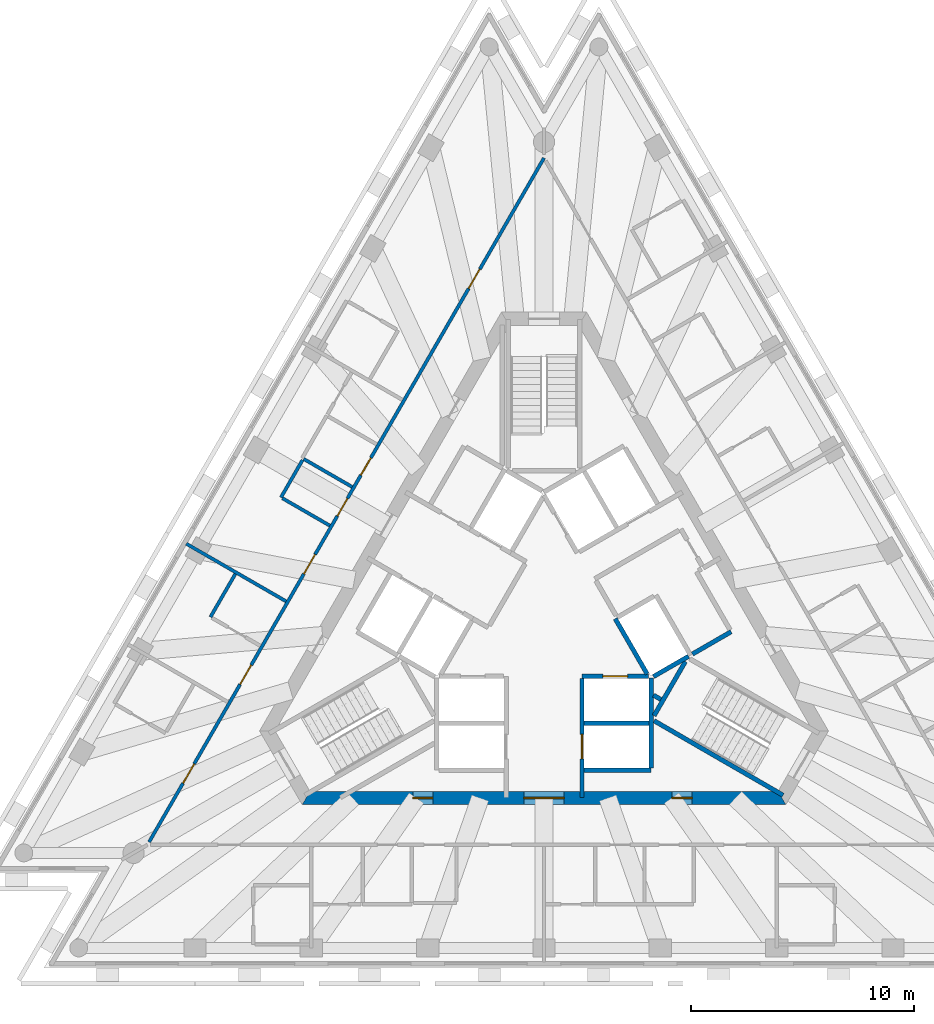
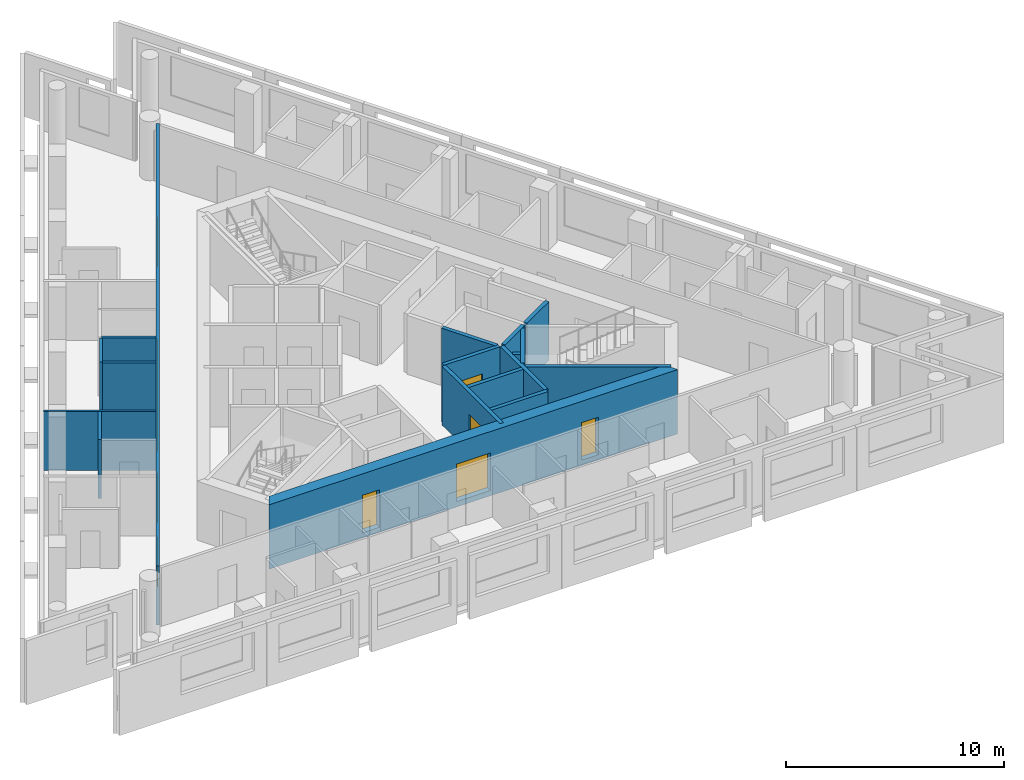
# One storey, part 4 of 10: 18 walls, 11 doors, 11 openings.
"""IFC4 building model written with IfcOpenShell, lengths in metres."""

from ifc_helpers import new_model, si_unit, direction, frame, frame_2d, origin, place, context, subcontext, project, spatial, polyline, rectangle, outline, extrude, material, layer, layer_set, type_object, element, fill, save


model = new_model("IFC4")

# Units and contexts
model_context = context("Model", 3, precision=1e-05, world=origin(), true_north=direction((0.0, 1.0)))
body_context = subcontext(model_context, "Body", "Model", "MODEL_VIEW")
ifc_project = project(units=[si_unit("LENGTHUNIT", "METRE"), si_unit("AREAUNIT", "SQUARE_METRE"), si_unit("VOLUMEUNIT", "CUBIC_METRE"), si_unit("PLANEANGLEUNIT", "RADIAN"), si_unit("MASSUNIT", "GRAM", prefix="KILO")], contexts=[model_context])

# Site, building, storey
site_placement = place(None, origin())
site = spatial("IfcSite", under=ifc_project, at=site_placement, CompositionType="ELEMENT")
building_placement = place(site_placement, origin())
building = spatial("IfcBuilding", under=site, at=building_placement, Name="Triada Interchange Tower", CompositionType="ELEMENT")
storey_placement = place(building_placement, frame((0.0, 0.0, 311.5)))
storey = spatial("IfcBuildingStorey", under=building, at=storey_placement, Name="L74", CompositionType="ELEMENT", Elevation=311.5)

# Walls
ifc_material_1 = material(Name="Concrete C30/37", Category="concrete")
ifc_layer_1 = layer(ifc_material_1, 0.199951171875)
ifc_layer_set_1 = layer_set([ifc_layer_1], Name="CORE WALL 200 EI 120")
wall_type_1 = type_object("IfcWallType", Name="CORE WALL 200 EI 120", PredefinedType="SOLIDWALL", material=ifc_layer_set_1)
wall_1_placement = place(storey_placement, frame((1.800048828125, -6.89990234375, 0.0), z_axis=(0.0, 0.0, 1.0), x_axis=(1.0, 0.0, 0.0)))
element("IfcWall", 1, at=wall_1_placement, inside=storey, type_object=wall_type_1, Name="Wall L74 68", PredefinedType="SOLIDWALL", context=body_context, shape_type="SweptSolid", body=[
    extrude(rectangle(XDim=3.0, YDim=0.199951171875, at=frame_2d((1.5, 0.0))), origin(), (0.0, 0.0, 1.0), 3.300048828125),
])
wall_2_placement = place(storey_placement, frame((1.800048828125, -4.800048828125, 0.0), z_axis=(0.0, 0.0, 1.0), x_axis=(1.0, 0.0, 0.0)))
element("IfcWall", 2, at=wall_2_placement, inside=storey, type_object=wall_type_1, Name="Wall L74 70", PredefinedType="SOLIDWALL", context=body_context, shape_type="SweptSolid", body=[
    extrude(rectangle(XDim=2.89990234375, YDim=0.199951171875, at=frame_2d((1.449951171875, 0.0))), origin(), (0.0, 0.0, 1.0), 3.300048828125),
])

# Wall, opening, door
wall_3_placement = place(storey_placement, frame((1.702880859375, -2.699951171875, 0.0), z_axis=(0.0, 0.0, 1.0), x_axis=(1.0, 0.0, 0.0)))
wall_3 = element("IfcWall", 3, at=wall_3_placement, inside=storey, type_object=wall_type_1, Name="Wall L74 73", PredefinedType="SOLIDWALL", context=body_context, shape_type="SweptSolid", body=[
    extrude(rectangle(XDim=2.97314453125, YDim=0.199951171875, at=frame_2d((1.486572265625, 0.0))), origin(), (0.0, 0.0, 1.0), 3.300048828125),
])
opening_1_placement = place(wall_3_placement, frame((0.93603515625, 0.0, 0.0)))
opening_1 = element("IfcOpeningElement", 4, at=opening_1_placement, cuts=wall_3, Name="Opening LD-HR1", PredefinedType="OPENING", context=body_context, shape_type="SweptSolid", body=[
    extrude(rectangle(XDim=1.10009765625, YDim=2.10009765625, at=frame_2d((0.550048828125, 1.050048828125))), frame((0.0, 0.10986328125, 0.0), z_axis=(0.0, -1.0, 0.0), x_axis=(1.0, 0.0, 0.0)), (0.0, 0.0, 1.0), 0.219970703125),
])
ifc_material_2 = material(Name="Steel S235 door leaf", Category="steel")
door_type_1 = type_object("IfcDoorType", Name="LIFT LANDING DOOR 1100 EI 120", OperationType="SLIDING_TO_LEFT", PredefinedType="DOOR", material=ifc_material_2)
door_1_placement = place(opening_1_placement, origin())
door_1 = element("IfcDoor", 5, at=door_1_placement, inside=storey, type_object=door_type_1, Name="HR1 landing door L74", OperationType="SLIDING_TO_LEFT", OverallHeight=2.10009765625, OverallWidth=1.10009765625, PredefinedType="DOOR", context=body_context, shape_type="SweptSolid", body=[
    extrude(rectangle(XDim=1.10009765625, YDim=2.10009765625, at=frame_2d((0.550048828125, 1.050048828125))), frame((0.0, 0.02490234375, 0.0), z_axis=(0.0, -1.0, 0.0), x_axis=(1.0, 0.0, 0.0)), (0.0, 0.0, 1.0), 0.050048828125),
])
fill(opening_1, door_1)

# Wall
wall_4_placement = place(storey_placement, frame((3.18994140625, -0.125, 0.0), z_axis=(0.0, 0.0, 1.0), x_axis=(0.499988658015, -0.866031951983, 0.0)))
element("IfcWall", 6, at=wall_4_placement, inside=storey, type_object=wall_type_1, Name="Wall L74 76", PredefinedType="SOLIDWALL", context=body_context, shape_type="SweptSolid", body=[
    extrude(rectangle(XDim=2.85791015625, YDim=0.199951171875, at=frame_2d((1.428955078125, 0.0))), origin(), (0.0, 0.0, 1.0), 3.300048828125),
])

# Wall, opening, door
wall_5_placement = place(storey_placement, frame((1.699951171875, -8.1298828125, 0.0), z_axis=(0.0, 0.0, 1.0), x_axis=(0.0, 1.0, 0.0)))
wall_5 = element("IfcWall", 7, at=wall_5_placement, inside=storey, type_object=wall_type_1, Name="Wall L74 78", PredefinedType="SOLIDWALL", context=body_context, shape_type="SweptSolid", body=[
    extrude(rectangle(XDim=5.326904296875, YDim=0.199951171875, at=frame_2d((2.66357421875, 0.0))), origin(), (0.0, 0.0, 1.0), 3.300048828125),
])
opening_2_placement = place(wall_5_placement, frame((1.72998046875, 0.0, 0.0)))
opening_2 = element("IfcOpeningElement", 8, at=opening_2_placement, cuts=wall_5, Name="Opening LD-HR2", PredefinedType="OPENING", context=body_context, shape_type="SweptSolid", body=[
    extrude(rectangle(XDim=1.10009765625, YDim=2.10009765625, at=frame_2d((0.550048828125, 1.050048828125))), frame((0.0, 0.10986328125, 0.0), z_axis=(0.0, -1.0, 0.0), x_axis=(1.0, 0.0, 0.0)), (0.0, 0.0, 1.0), 0.219970703125),
])
door_2_placement = place(opening_2_placement, origin())
door_2 = element("IfcDoor", 9, at=door_2_placement, inside=storey, type_object=door_type_1, Name="HR2 landing door L74", OperationType="SLIDING_TO_LEFT", OverallHeight=2.10009765625, OverallWidth=1.10009765625, PredefinedType="DOOR", context=body_context, shape_type="SweptSolid", body=[
    extrude(rectangle(XDim=1.10009765625, YDim=2.10009765625, at=frame_2d((0.550048828125, 1.050048828125))), frame((0.0, 0.02490234375, 0.0), z_axis=(0.0, -1.0, 0.0), x_axis=(1.0, 0.0, 0.0)), (0.0, 0.0, 1.0), 0.050048828125),
])
fill(opening_2, door_2)

# Walls
wall_6_placement = place(storey_placement, frame((4.800048828125, -6.800048828125, 0.0), z_axis=(0.0, 0.0, 1.0), x_axis=(0.0, 1.0, 0.0)))
element("IfcWall", 10, at=wall_6_placement, inside=storey, type_object=wall_type_1, Name="Wall L74 79", PredefinedType="SOLIDWALL", context=body_context, shape_type="SweptSolid", body=[
    extrude(rectangle(XDim=4.029052734375, YDim=0.199951171875, at=frame_2d((2.0146484375, 0.0))), origin(), (0.0, 0.0, 1.0), 3.300048828125),
])
wall_7_placement = place(storey_placement, frame((4.89990234375, -2.714111328125, 0.0), z_axis=(0.0, 0.0, 1.0), x_axis=(0.865846928409, 0.500309001083, 0.0)))
element("IfcWall", 11, at=wall_7_placement, inside=storey, type_object=wall_type_1, Name="Wall L74 88", PredefinedType="SOLIDWALL", context=body_context, shape_type="SweptSolid", body=[
    extrude(rectangle(XDim=1.813232421875, YDim=0.199951171875, at=frame_2d((0.90673828125, 0.0))), origin(), (0.0, 0.0, 1.0), 3.300048828125),
])
ifc_layer_2 = layer(ifc_material_1, 0.199951171875)
ifc_layer_set_2 = layer_set([ifc_layer_2], Name="CORE WALL 200 EI 90")
wall_type_2 = type_object("IfcWallType", Name="CORE WALL 200 EI 90", PredefinedType="SOLIDWALL", material=ifc_layer_set_2)
wall_8_placement = place(storey_placement, frame((4.89990234375, -3.5458984375, 0.0), z_axis=(0.0, 0.0, 1.0), x_axis=(0.865527936036, -0.500860651221, 0.0)))
element("IfcWall", 12, at=wall_8_placement, inside=storey, type_object=wall_type_2, Name="Wall L74 106", PredefinedType="SOLIDWALL", context=body_context, shape_type="SweptSolid", body=[
    extrude(rectangle(XDim=0.383544921875, YDim=0.199951171875, at=frame_2d((0.19189453125, 0.0))), origin(), (0.0, 0.0, 1.0), 3.300048828125),
])
wall_9_placement = place(storey_placement, frame((6.64208984375, -1.7080078125, 0.0), z_axis=(0.0, 0.0, 1.0), x_axis=(0.866043441391, 0.499968756647, 0.0)))
element("IfcWall", 13, at=wall_9_placement, inside=storey, type_object=wall_type_2, Name="Wall L74 107", PredefinedType="SOLIDWALL", context=body_context, shape_type="SweptSolid", body=[
    extrude(rectangle(XDim=2.002197265625, YDim=0.199951171875, at=frame_2d((1.0009765625, 0.0))), origin(), (0.0, 0.0, 1.0), 3.300048828125),
])
ifc_layer_3 = layer(ifc_material_1, 0.199951171875)
ifc_layer_set_3 = layer_set([ifc_layer_3], Name="CORE WALL 200 REI 240")
wall_type_3 = type_object("IfcWallType", Name="CORE WALL 200 REI 240", PredefinedType="SOLIDWALL", material=ifc_layer_set_3)
wall_10_placement = place(storey_placement, frame((4.928955078125, -4.4619140625, 0.0), z_axis=(0.0, 0.0, 1.0), x_axis=(0.500200581029, 0.865909567298, 0.0)))
element("IfcWall", 14, at=wall_10_placement, inside=storey, type_object=wall_type_3, Name="Wall L74 116", PredefinedType="SOLIDWALL", context=body_context, shape_type="SweptSolid", body=[
    extrude(rectangle(XDim=2.799072265625, YDim=0.199951171875, at=frame_2d((1.3994140625, 0.0))), origin(), (0.0, 0.0, 1.0), 3.300048828125),
])
wall_11_placement = place(storey_placement, frame((4.928955078125, -4.693115234375, 0.0), z_axis=(0.0, 0.0, 1.0), x_axis=(0.866005022404, -0.500035299925, 0.0)))
element("IfcWall", 15, at=wall_11_placement, inside=storey, type_object=wall_type_3, Name="Wall L74 118", PredefinedType="SOLIDWALL", context=body_context, shape_type="SweptSolid", body=[
    extrude(rectangle(XDim=6.6650390625, YDim=0.199951171875, at=frame_2d((3.33251953125, 0.0))), origin(), (0.0, 0.0, 1.0), 3.300048828125),
])

# Wall, openings, doors
ifc_material_3 = material(Name="Concrete C40/50", Category="concrete")
ifc_layer_4 = layer(ifc_material_3, 0.60009765625)
ifc_layer_set_4 = layer_set([ifc_layer_4], Name="Core wall D 600")
wall_type_4 = type_object("IfcWallType", Name="Core wall D 600", PredefinedType="SHEAR", material=ifc_layer_set_4)
wall_12_placement = place(storey_placement, frame((-10.652099609375, -8.14990234375, -0.300048828125), z_axis=(0.0, 0.0, 1.0), x_axis=(1.0, 0.0, 0.0)))
wall_12 = element("IfcWall", 16, at=wall_12_placement, inside=storey, type_object=wall_type_4, Name="Core wall WD04 L74", PredefinedType="SHEAR", context=body_context, shape_type="SweptSolid", body=[
    extrude(outline(polyline([(-0.173095703125, -0.300048828125), (1.795166015625, -0.300048828125), (3.76318359375, -0.300048828125), (5.7314453125, -0.300048828125), (7.69970703125, -0.300048828125), (9.66796875, -0.300048828125), (11.635986328125, -0.300048828125), (13.604248046875, -0.300048828125), (15.572509765625, -0.300048828125), (17.540771484375, -0.300048828125), (19.5087890625, -0.300048828125), (21.47705078125, -0.300048828125), (21.131103515625, 0.300048828125), (19.225830078125, 0.300048828125), (17.320556640625, 0.300048828125), (15.415283203125, 0.300048828125), (13.510009765625, 0.300048828125), (11.604736328125, 0.300048828125), (9.699462890625, 0.300048828125), (7.794189453125, 0.300048828125), (5.888916015625, 0.300048828125), (3.983642578125, 0.300048828125), (2.078369140625, 0.300048828125), (0.173095703125, 0.300048828125), (-0.173095703125, -0.300048828125)])), origin(), (0.0, 0.0, 1.0), 3.60009765625),
])
opening_3_placement = place(wall_12_placement, frame((9.751953125, 0.0, 0.300048828125)))
opening_3 = element("IfcOpeningElement", 17, at=opening_3_placement, cuts=wall_12, Name="Opening D74-45", PredefinedType="OPENING", context=body_context, shape_type="SweptSolid", body=[
    extrude(rectangle(XDim=1.800048828125, YDim=2.10009765625, at=frame_2d((0.89990234375, 1.050048828125))), frame((0.0, 0.31005859375, 0.0), z_axis=(0.0, -1.0, 0.0), x_axis=(1.0, 0.0, 0.0)), (0.0, 0.0, 1.0), 0.6201171875),
])
opening_4_placement = place(wall_12_placement, frame((4.777099609375, 0.0, 0.300048828125)))
opening_4 = element("IfcOpeningElement", 18, at=opening_4_placement, cuts=wall_12, Name="Opening D74-51", PredefinedType="OPENING", context=body_context, shape_type="SweptSolid", body=[
    extrude(rectangle(XDim=0.89990234375, YDim=2.10009765625, at=frame_2d((0.449951171875, 1.050048828125))), frame((0.0, 0.31005859375, 0.0), z_axis=(0.0, -1.0, 0.0), x_axis=(1.0, 0.0, 0.0)), (0.0, 0.0, 1.0), 0.6201171875),
])
opening_5_placement = place(wall_12_placement, frame((16.3779296875, 0.0, 0.300048828125)))
opening_5 = element("IfcOpeningElement", 19, at=opening_5_placement, cuts=wall_12, Name="Opening D74-54", PredefinedType="OPENING", context=body_context, shape_type="SweptSolid", body=[
    extrude(rectangle(XDim=0.89990234375, YDim=2.10009765625, at=frame_2d((0.449951171875, 1.050048828125))), frame((0.0, 0.31005859375, 0.0), z_axis=(0.0, -1.0, 0.0), x_axis=(1.0, 0.0, 0.0)), (0.0, 0.0, 1.0), 0.6201171875),
])
door_type_2 = type_object("IfcDoorType", Name="LOBBY DOOR 1800 EI2 90-C5S200", OperationType="DOUBLE_DOOR_SINGLE_SWING", PredefinedType="DOOR", material=ifc_material_2)
door_3_placement = place(opening_3_placement, origin())
door_3 = element("IfcDoor", 20, at=door_3_placement, inside=storey, type_object=door_type_2, Name="Door D74-45 L74", OperationType="DOUBLE_DOOR_SINGLE_SWING", OverallHeight=2.10009765625, OverallWidth=1.800048828125, PredefinedType="DOOR", context=body_context, shape_type="SweptSolid", body=[
    extrude(rectangle(XDim=1.800048828125, YDim=2.10009765625, at=frame_2d((0.89990234375, 1.050048828125))), frame((0.0, 0.02490234375, 0.0), z_axis=(0.0, -1.0, 0.0), x_axis=(1.0, 0.0, 0.0)), (0.0, 0.0, 1.0), 0.050048828125),
])
fill(opening_3, door_3)
door_type_3 = type_object("IfcDoorType", Name="RISER ACCESS DOOR 900 EI2 45-C5S200", OperationType="NOTDEFINED", PredefinedType="DOOR", material=ifc_material_2)
door_4_placement = place(opening_4_placement, origin())
door_4 = element("IfcDoor", 21, at=door_4_placement, inside=storey, type_object=door_type_3, Name="Door D74-51 L74", OperationType="SINGLE_SWING_RIGHT", OverallHeight=2.10009765625, OverallWidth=0.89990234375, PredefinedType="DOOR", context=body_context, shape_type="SweptSolid", body=[
    extrude(rectangle(XDim=0.89990234375, YDim=2.10009765625, at=frame_2d((0.449951171875, 1.050048828125))), frame((0.0, 0.02490234375, 0.0), z_axis=(0.0, -1.0, 0.0), x_axis=(1.0, 0.0, 0.0)), (0.0, 0.0, 1.0), 0.050048828125),
])
fill(opening_4, door_4)
door_type_4 = type_object("IfcDoorType", Name="SERVICE DOOR 900 EI2 45-C5S200", OperationType="NOTDEFINED", PredefinedType="DOOR", material=ifc_material_2)
door_5_placement = place(opening_5_placement, origin())
door_5 = element("IfcDoor", 22, at=door_5_placement, inside=storey, type_object=door_type_4, Name="Door D74-54 L74", OperationType="SINGLE_SWING_RIGHT", OverallHeight=2.10009765625, OverallWidth=0.89990234375, PredefinedType="DOOR", context=body_context, shape_type="SweptSolid", body=[
    extrude(rectangle(XDim=0.89990234375, YDim=2.10009765625, at=frame_2d((0.449951171875, 1.050048828125))), frame((0.0, 0.02490234375, 0.0), z_axis=(0.0, -1.0, 0.0), x_axis=(1.0, 0.0, 0.0)), (0.0, 0.0, 1.0), 0.050048828125),
])
fill(opening_5, door_5)

ifc_material_4 = material(Name="Gypsum board partition")
ifc_layer_5 = layer(ifc_material_4, 0.14990234375)
ifc_layer_set_5 = layer_set([ifc_layer_5], Name="PARTITION 150 EI 180")
wall_type_5 = type_object("IfcWallType", Name="PARTITION 150 EI 180", PredefinedType="PARTITIONING", material=ifc_layer_set_5)
wall_13_placement = place(storey_placement, frame((-17.677978515625, -10.1201171875, 0.0), z_axis=(0.0, 0.0, 1.0), x_axis=(0.49998824015, 0.86603219323, 0.0)))
wall_13 = element("IfcWall", 23, at=wall_13_placement, inside=storey, type_object=wall_type_5, Name="Wall L74 4", PredefinedType="PARTITIONING", context=body_context, shape_type="SweptSolid", body=[
    extrude(rectangle(XDim=35.356689453125, YDim=0.14990234375, at=frame_2d((17.67822265625, 0.0))), origin(), (0.0, 0.0, 1.0), 3.300048828125),
])
opening_6_placement = place(wall_13_placement, frame((28.60693359375, 0.0, 0.0)))
opening_6 = element("IfcOpeningElement", 24, at=opening_6_placement, cuts=wall_13, Name="Opening D74-35", PredefinedType="OPENING", context=body_context, shape_type="SweptSolid", body=[
    extrude(rectangle(XDim=1.0, YDim=2.10009765625, at=frame_2d((0.5, 1.050048828125))), frame((0.0, 0.0849609375, 0.0), z_axis=(0.0, -1.0, 0.0), x_axis=(1.0, 0.0, 0.0)), (0.0, 0.0, 1.0), 0.169921875),
])
opening_7_placement = place(wall_13_placement, frame((13.860107421875, 0.0, 0.0)))
opening_7 = element("IfcOpeningElement", 25, at=opening_7_placement, cuts=wall_13, Name="Opening D74-37", PredefinedType="OPENING", context=body_context, shape_type="SweptSolid", body=[
    extrude(rectangle(XDim=1.0, YDim=2.10009765625, at=frame_2d((0.5, 1.050048828125))), frame((0.0, 0.0849609375, 0.0), z_axis=(0.0, -1.0, 0.0), x_axis=(1.0, 0.0, 0.0)), (0.0, 0.0, 1.0), 0.169921875),
])
opening_8_placement = place(wall_13_placement, frame((18.9599609375, 0.0, 0.0)))
opening_8 = element("IfcOpeningElement", 26, at=opening_8_placement, cuts=wall_13, Name="Opening D74-39", PredefinedType="OPENING", context=body_context, shape_type="SweptSolid", body=[
    extrude(rectangle(XDim=0.89990234375, YDim=2.10009765625, at=frame_2d((0.449951171875, 1.050048828125))), frame((0.0, 0.0849609375, 0.0), z_axis=(0.0, -1.0, 0.0), x_axis=(1.0, 0.0, 0.0)), (0.0, 0.0, 1.0), 0.169921875),
])
opening_9_placement = place(wall_13_placement, frame((16.860107421875, 0.0, 0.0)))
opening_9 = element("IfcOpeningElement", 27, at=opening_9_placement, cuts=wall_13, Name="Opening D74-40", PredefinedType="OPENING", context=body_context, shape_type="SweptSolid", body=[
    extrude(rectangle(XDim=0.89990234375, YDim=2.10009765625, at=frame_2d((0.449951171875, 1.050048828125))), frame((0.0, 0.0849609375, 0.0), z_axis=(0.0, -1.0, 0.0), x_axis=(1.0, 0.0, 0.0)), (0.0, 0.0, 1.0), 0.169921875),
])
opening_10_placement = place(wall_13_placement, frame((8.14599609375, 0.0, 0.0)))
opening_10 = element("IfcOpeningElement", 28, at=opening_10_placement, cuts=wall_13, Name="Opening D74-41", PredefinedType="OPENING", context=body_context, shape_type="SweptSolid", body=[
    extrude(rectangle(XDim=1.0, YDim=2.10009765625, at=frame_2d((0.5, 1.050048828125))), frame((0.0, 0.0849609375, 0.0), z_axis=(0.0, -1.0, 0.0), x_axis=(1.0, 0.0, 0.0)), (0.0, 0.0, 1.0), 0.169921875),
])
opening_11_placement = place(wall_13_placement, frame((3.0380859375, 0.0, 0.0)))
opening_11 = element("IfcOpeningElement", 29, at=opening_11_placement, cuts=wall_13, Name="Opening D74-43", PredefinedType="OPENING", context=body_context, shape_type="SweptSolid", body=[
    extrude(rectangle(XDim=1.0, YDim=2.10009765625, at=frame_2d((0.5, 1.050048828125))), frame((0.0, 0.0849609375, 0.0), z_axis=(0.0, -1.0, 0.0), x_axis=(1.0, 0.0, 0.0)), (0.0, 0.0, 1.0), 0.169921875),
])
door_type_5 = type_object("IfcDoorType", Name="GUEST ROOM DOOR 1000 EI2 90-C5S200", OperationType="NOTDEFINED", PredefinedType="DOOR", material=ifc_material_2)
door_6_placement = place(opening_6_placement, origin())
door_6 = element("IfcDoor", 30, at=door_6_placement, inside=storey, type_object=door_type_5, Name="Door D74-35 L74", OperationType="SINGLE_SWING_RIGHT", OverallHeight=2.10009765625, OverallWidth=1.0, PredefinedType="DOOR", context=body_context, shape_type="SweptSolid", body=[
    extrude(rectangle(XDim=1.0, YDim=2.10009765625, at=frame_2d((0.5, 1.050048828125))), frame((0.0, 0.02490234375, 0.0), z_axis=(0.0, -1.0, 0.0), x_axis=(1.0, 0.0, 0.0)), (0.0, 0.0, 1.0), 0.050048828125),
])
fill(opening_6, door_6)
door_7_placement = place(opening_7_placement, origin())
door_7 = element("IfcDoor", 31, at=door_7_placement, inside=storey, type_object=door_type_5, Name="Door D74-37 L74", OperationType="SINGLE_SWING_LEFT", OverallHeight=2.10009765625, OverallWidth=1.0, PredefinedType="DOOR", context=body_context, shape_type="SweptSolid", body=[
    extrude(rectangle(XDim=1.0, YDim=2.10009765625, at=frame_2d((0.5, 1.050048828125))), frame((0.0, 0.02490234375, 0.0), z_axis=(0.0, -1.0, 0.0), x_axis=(1.0, 0.0, 0.0)), (0.0, 0.0, 1.0), 0.050048828125),
])
fill(opening_7, door_7)
door_8_placement = place(opening_10_placement, origin())
door_8 = element("IfcDoor", 32, at=door_8_placement, inside=storey, type_object=door_type_5, Name="Door D74-41 L74", OperationType="SINGLE_SWING_LEFT", OverallHeight=2.10009765625, OverallWidth=1.0, PredefinedType="DOOR", context=body_context, shape_type="SweptSolid", body=[
    extrude(rectangle(XDim=1.0, YDim=2.10009765625, at=frame_2d((0.5, 1.050048828125))), frame((0.0, 0.02490234375, 0.0), z_axis=(0.0, -1.0, 0.0), x_axis=(1.0, 0.0, 0.0)), (0.0, 0.0, 1.0), 0.050048828125),
])
fill(opening_10, door_8)
door_9_placement = place(opening_11_placement, origin())
door_9 = element("IfcDoor", 33, at=door_9_placement, inside=storey, type_object=door_type_5, Name="Door D74-43 L74", OperationType="SINGLE_SWING_LEFT", OverallHeight=2.10009765625, OverallWidth=1.0, PredefinedType="DOOR", context=body_context, shape_type="SweptSolid", body=[
    extrude(rectangle(XDim=1.0, YDim=2.10009765625, at=frame_2d((0.5, 1.050048828125))), frame((0.0, 0.02490234375, 0.0), z_axis=(0.0, -1.0, 0.0), x_axis=(1.0, 0.0, 0.0)), (0.0, 0.0, 1.0), 0.050048828125),
])
fill(opening_11, door_9)
door_type_6 = type_object("IfcDoorType", Name="ROOM DOOR 900 EI2 90-C5S200", OperationType="NOTDEFINED", PredefinedType="DOOR", material=ifc_material_2)
door_10_placement = place(opening_9_placement, origin())
door_10 = element("IfcDoor", 34, at=door_10_placement, inside=storey, type_object=door_type_6, Name="Door D74-40 L74", OperationType="SINGLE_SWING_RIGHT", OverallHeight=2.10009765625, OverallWidth=0.89990234375, PredefinedType="DOOR", context=body_context, shape_type="SweptSolid", body=[
    extrude(rectangle(XDim=0.89990234375, YDim=2.10009765625, at=frame_2d((0.449951171875, 1.050048828125))), frame((0.0, 0.02490234375, 0.0), z_axis=(0.0, -1.0, 0.0), x_axis=(1.0, 0.0, 0.0)), (0.0, 0.0, 1.0), 0.050048828125),
])
fill(opening_9, door_10)
door_type_7 = type_object("IfcDoorType", Name="SERVICE DOOR 900 EI2 90-C5S200", OperationType="NOTDEFINED", PredefinedType="DOOR", material=ifc_material_2)
door_11_placement = place(opening_8_placement, origin())
door_11 = element("IfcDoor", 35, at=door_11_placement, inside=storey, type_object=door_type_7, Name="Door D74-39 L74", OperationType="SINGLE_SWING_LEFT", OverallHeight=2.10009765625, OverallWidth=0.89990234375, PredefinedType="DOOR", context=body_context, shape_type="SweptSolid", body=[
    extrude(rectangle(XDim=0.89990234375, YDim=2.10009765625, at=frame_2d((0.449951171875, 1.050048828125))), frame((0.0, 0.02490234375, 0.0), z_axis=(0.0, -1.0, 0.0), x_axis=(1.0, 0.0, 0.0)), (0.0, 0.0, 1.0), 0.050048828125),
])
fill(opening_8, door_11)

# Walls
wall_14_placement = place(storey_placement, frame((-16.011962890625, 3.23193359375, 0.0), z_axis=(0.0, 0.0, 1.0), x_axis=(0.86604134632, -0.499972385701, 0.0)))
element("IfcWall", 36, at=wall_14_placement, inside=storey, type_object=wall_type_5, Name="Wall L74 6", PredefinedType="PARTITIONING", context=body_context, shape_type="SweptSolid", body=[
    extrude(rectangle(XDim=5.157958984375, YDim=0.14990234375, at=frame_2d((2.5791015625, 0.0))), origin(), (0.0, 0.0, 1.0), 3.300048828125),
])
wall_15_placement = place(storey_placement, frame((-10.759033203125, 7.028076171875, 0.0), z_axis=(0.0, 0.0, 1.0), x_axis=(0.866083422639, -0.499899494929, 0.0)))
element("IfcWall", 37, at=wall_15_placement, inside=storey, type_object=wall_type_5, Name="Wall L74 9", PredefinedType="PARTITIONING", context=body_context, shape_type="SweptSolid", body=[
    extrude(rectangle(XDim=2.5068359375, YDim=0.14990234375, at=frame_2d((1.25341796875, 0.0))), origin(), (0.0, 0.0, 1.0), 3.300048828125),
])
wall_16_placement = place(storey_placement, frame((-11.77490234375, 5.304931640625, 0.0), z_axis=(0.0, 0.0, 1.0), x_axis=(0.49995654735, 0.86605048973, 0.0)))
element("IfcWall", 38, at=wall_16_placement, inside=storey, type_object=wall_type_5, Name="Wall L74 10", PredefinedType="PARTITIONING", context=body_context, shape_type="SweptSolid", body=[
    extrude(rectangle(XDim=1.926025390625, YDim=0.14990234375, at=frame_2d((0.962890625, 0.0))), origin(), (0.0, 0.0, 1.0), 3.300048828125),
])
wall_17_placement = place(storey_placement, frame((-11.7099609375, 5.26806640625, 0.0), z_axis=(0.0, 0.0, 1.0), x_axis=(0.8660395779, -0.499975448907, 0.0)))
element("IfcWall", 39, at=wall_17_placement, inside=storey, type_object=wall_type_5, Name="Wall L74 11", PredefinedType="PARTITIONING", context=body_context, shape_type="SweptSolid", body=[
    extrude(rectangle(XDim=2.4501953125, YDim=0.14990234375, at=frame_2d((1.22509765625, 0.0))), origin(), (0.0, 0.0, 1.0), 3.300048828125),
])
ifc_layer_6 = layer(ifc_material_4, 0.14990234375)
ifc_layer_set_6 = layer_set([ifc_layer_6], Name="PARTITION 150 EI 90")
wall_type_6 = type_object("IfcWallType", Name="PARTITION 150 EI 90", PredefinedType="PARTITIONING", material=ifc_layer_set_6)
wall_18_placement = place(storey_placement, frame((-14.930908203125, -0.048095703125, 0.0), z_axis=(0.0, 0.0, 1.0), x_axis=(0.500080171303, 0.865979111913, 0.0)))
element("IfcWall", 40, at=wall_18_placement, inside=storey, type_object=wall_type_6, Name="Wall L74 36", PredefinedType="PARTITIONING", context=body_context, shape_type="SweptSolid", body=[
    extrude(rectangle(XDim=2.225341796875, YDim=0.14990234375, at=frame_2d((1.11279296875, 0.0))), origin(), (0.0, 0.0, 1.0), 3.300048828125),
])

save(model, "model.ifc")
